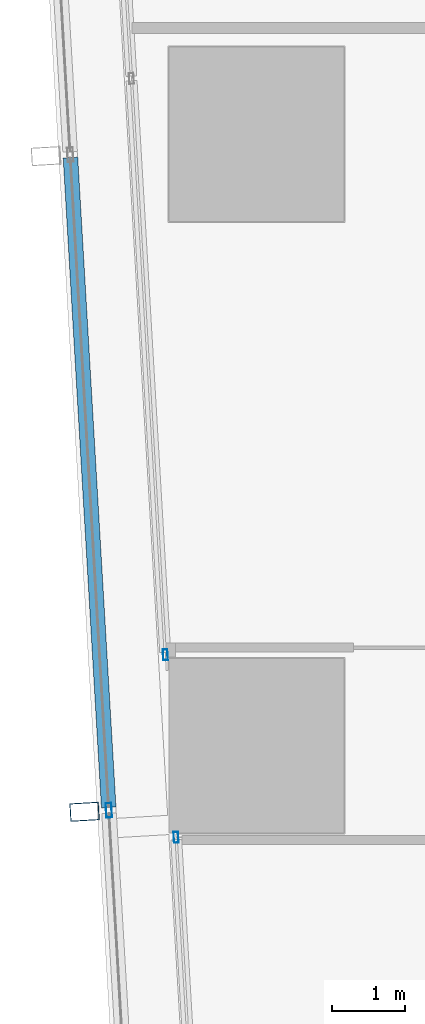
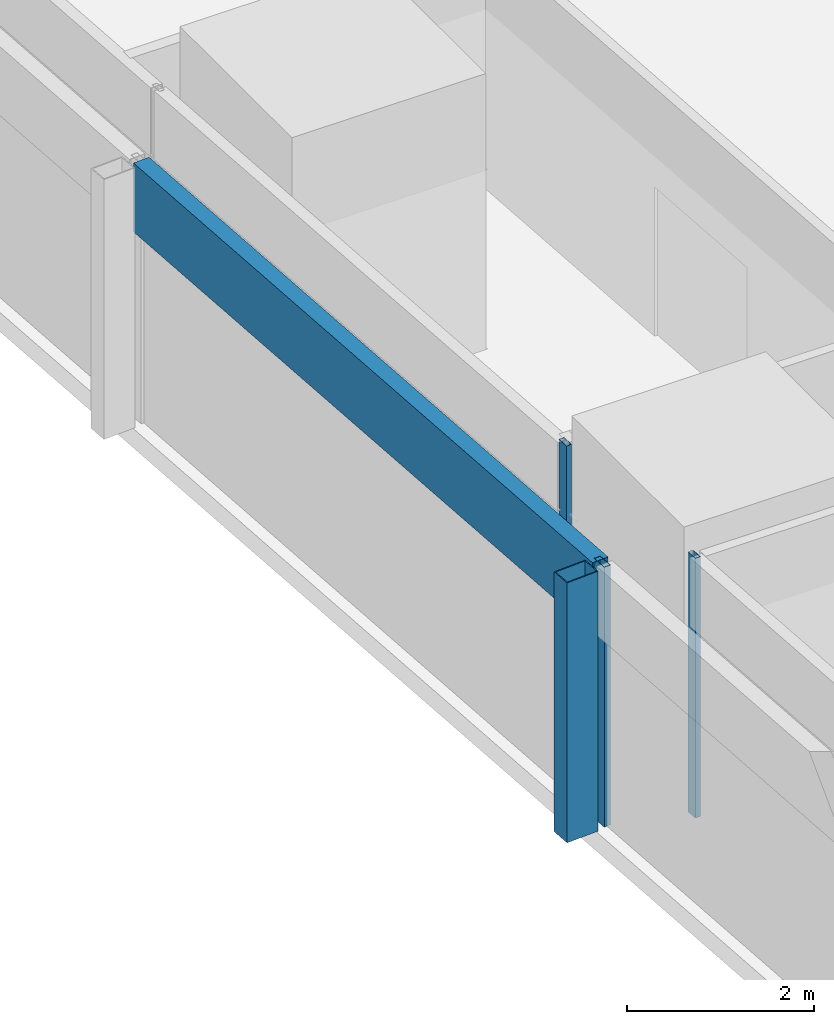
# One storey, part 4 of 34: 5 members, 3 elements without a shape of their own.
"""IFC4 building model written with IfcOpenShell, lengths in metres."""

from ifc_helpers import new_model, si_unit, direction, frame, origin, origin_2d, place, context, subcontext, project, spatial, hollow_rectangle, extrude, material, material_profile, profile_set, type_object, element, aggregate, save


model = new_model("IFC4")

# Units and contexts
model_context = context("Model", 3, precision=1e-05, world=origin(), true_north=direction((0.0, 1.0)))
body_context = subcontext(model_context, "Body", "Model", "MODEL_VIEW")
ifc_project = project(units=[si_unit("LENGTHUNIT", "METRE"), si_unit("AREAUNIT", "SQUARE_METRE"), si_unit("VOLUMEUNIT", "CUBIC_METRE"), si_unit("PLANEANGLEUNIT", "RADIAN"), si_unit("MASSUNIT", "GRAM", prefix="KILO")], contexts=[model_context])

# Site, building, storey
site_placement = place(None, origin())
site = spatial("IfcSite", under=ifc_project, at=site_placement, CompositionType="ELEMENT")
building_placement = place(site_placement, origin())
building = spatial("IfcBuilding", under=site, at=building_placement, Name="Rekha Terrace Tower", CompositionType="ELEMENT")
storey_placement = place(building_placement, frame((0.0, 0.0, 236.449951171875)))
storey = spatial("IfcBuildingStorey", under=building, at=storey_placement, Name="L60", CompositionType="ELEMENT", Elevation=236.449951171875)

# Curtain wall, member
ifc_material_1 = material(Name="Aluminium framing", Category="aluminium")
curtain_wall_type_1 = type_object("IfcCurtainWallType", Name="CW2 double skin outer glazing", PredefinedType="USERDEFINED", material=ifc_material_1)
curtain_wall_1_placement = place(storey_placement, origin())
curtain_wall_1 = element("IfcCurtainWall", 1, at=curtain_wall_1_placement, inside=storey, type_object=curtain_wall_type_1, Name="CW2 double skin outer glazing", ObjectType="DOUBLE SKIN OUTER GLAZING", PredefinedType="USERDEFINED")
ifc_material_2 = material(Name="Steel S355 with fluorocarbon finish", Category="steel")
ifc_material_profile_1 = material_profile(ifc_material_2, hollow_rectangle(XDim=0.25, YDim=0.39990234375, WallThickness=0.012451171875, at=origin_2d()), Name="RHS400x250x12.5")
ifc_profile_set_1 = profile_set([ifc_material_profile_1], Name="Steel S355 with fluorocarbon finish")
member_type_1 = type_object("IfcMemberType", Name="BL1 facade blade RHS 400 x 250", PredefinedType="USERDEFINED", material=ifc_profile_set_1)
member_1_placement = place(storey_placement, frame((6.03662109375, 24.292236328125, 0.0), z_axis=(0.0, 0.0, 1.0), x_axis=(0.058764522885, -0.998271872212, 0.0)))
member_1 = element("IfcMember", 2, at=member_1_placement, type_object=member_type_1, Name="Facade blade", ObjectType="FACADE BLADE", PredefinedType="USERDEFINED", context=body_context, shape_type="SweptSolid", body=[
    extrude(hollow_rectangle(XDim=0.25, YDim=0.39990234375, WallThickness=0.012451171875, at=origin_2d()), origin(), (0.0, 0.0, 1.0), 3.400146484375),
])

curtain_wall_type_2 = type_object("IfcCurtainWallType", Name="CW1 double skin inner glazing", PredefinedType="USERDEFINED", material=ifc_material_1)
curtain_wall_2_placement = place(storey_placement, origin())
curtain_wall_2 = element("IfcCurtainWall", 3, at=curtain_wall_2_placement, inside=storey, type_object=curtain_wall_type_2, Name="CW1 double skin inner glazing", ObjectType="DOUBLE SKIN INNER GLAZING", PredefinedType="USERDEFINED")
ifc_material_3 = material(Name="Aluminium mullion section", Category="aluminium")
ifc_material_profile_2 = material_profile(ifc_material_3, hollow_rectangle(XDim=0.06494140625, YDim=0.14990234375, WallThickness=0.00390625, at=origin_2d()), Name="AL RHS 65x150")
ifc_profile_set_2 = profile_set([ifc_material_profile_2], Name="Aluminium mullion section")
member_type_2 = type_object("IfcMemberType", Name="CW1 mullion RHS 65 x 150", PredefinedType="MULLION", material=ifc_profile_set_2)
member_2_placement = place(storey_placement, frame((7.146728515625, 26.449462890625, 0.0), z_axis=(0.0, 0.0, 1.0), x_axis=(0.998271839267, 0.058765082551, 0.0)))
member_2 = element("IfcMember", 4, at=member_2_placement, type_object=member_type_2, Name="CW1 mullion 3", PredefinedType="MULLION", context=body_context, shape_type="SweptSolid", body=[
    extrude(hollow_rectangle(XDim=0.06494140625, YDim=0.14990234375, WallThickness=0.00390625, at=origin_2d()), origin(), (0.0, 0.0, 1.0), 3.400146484375),
])
aggregate(curtain_wall_2, [member_2])

curtain_wall_3_placement = place(storey_placement, origin())
curtain_wall_3 = element("IfcCurtainWall", 5, at=curtain_wall_3_placement, inside=storey, type_object=curtain_wall_type_2, Name="CW1 double skin inner glazing", ObjectType="DOUBLE SKIN INNER GLAZING", PredefinedType="USERDEFINED")
member_3_placement = place(storey_placement, frame((7.294189453125, 23.94189453125, 0.0), z_axis=(0.0, 0.0, 1.0), x_axis=(0.99827183927, 0.058765082499, 0.0)))
member_3 = element("IfcMember", 6, at=member_3_placement, type_object=member_type_2, Name="CW1 mullion 1", PredefinedType="MULLION", context=body_context, shape_type="SweptSolid", body=[
    extrude(hollow_rectangle(XDim=0.06494140625, YDim=0.14990234375, WallThickness=0.00390625, at=origin_2d()), origin(), (0.0, 0.0, 1.0), 3.400146484375),
])
aggregate(curtain_wall_3, [member_3])

# Member
ifc_material_profile_3 = material_profile(ifc_material_3, hollow_rectangle(XDim=0.080078125, YDim=0.199951171875, WallThickness=0.00390625, at=origin_2d()), Name="AL RHS 80x200")
ifc_profile_set_3 = profile_set([ifc_material_profile_3], Name="Aluminium mullion section")
member_type_3 = type_object("IfcMemberType", Name="CW2 mullion RHS 80 x 200", PredefinedType="MULLION", material=ifc_profile_set_3)
member_4_placement = place(storey_placement, frame((6.370849609375, 24.31201171875, 0.0), z_axis=(0.0, 0.0, 1.0), x_axis=(0.99827183927, 0.058765082499, 0.0)))
member_4 = element("IfcMember", 7, at=member_4_placement, type_object=member_type_3, Name="CW2 mullion 3", PredefinedType="MULLION", context=body_context, shape_type="SweptSolid", body=[
    extrude(hollow_rectangle(XDim=0.080078125, YDim=0.199951171875, WallThickness=0.00390625, at=origin_2d()), origin(), (0.0, 0.0, 1.0), 3.400146484375),
])

ifc_material_4 = material(Name="Insulated aluminium spandrel box", Category="aluminium")
ifc_material_profile_4 = material_profile(ifc_material_4, hollow_rectangle(XDim=0.199951171875, YDim=0.89990234375, WallThickness=0.0029296875, at=origin_2d()), Name="AL SPANDREL BOX 200x900")
ifc_profile_set_4 = profile_set([ifc_material_profile_4], Name="Insulated aluminium spandrel box")
member_type_4 = type_object("IfcMemberType", Name="CW2 spandrel transom 200 x 900", PredefinedType="USERDEFINED", material=ifc_profile_set_4)
member_5_placement = place(storey_placement, frame((5.843017578125, 33.27978515625, 2.949951171875), z_axis=(0.058773229711, -0.998271359636, 0.0), x_axis=(0.998271359636, 0.058773229711, 0.0)))
member_5 = element("IfcMember", 8, at=member_5_placement, type_object=member_type_4, Name="CW2 spandrel transom 2", ObjectType="TRANSOM", PredefinedType="USERDEFINED", context=body_context, shape_type="SweptSolid", body=[
    extrude(hollow_rectangle(XDim=0.199951171875, YDim=0.89990234375, WallThickness=0.0029296875, at=origin_2d()), origin(), (0.0, 0.0, 1.0), 8.943359375),
])

aggregate(curtain_wall_1, [member_4, member_5, member_1])

save(model, "model.ifc")
